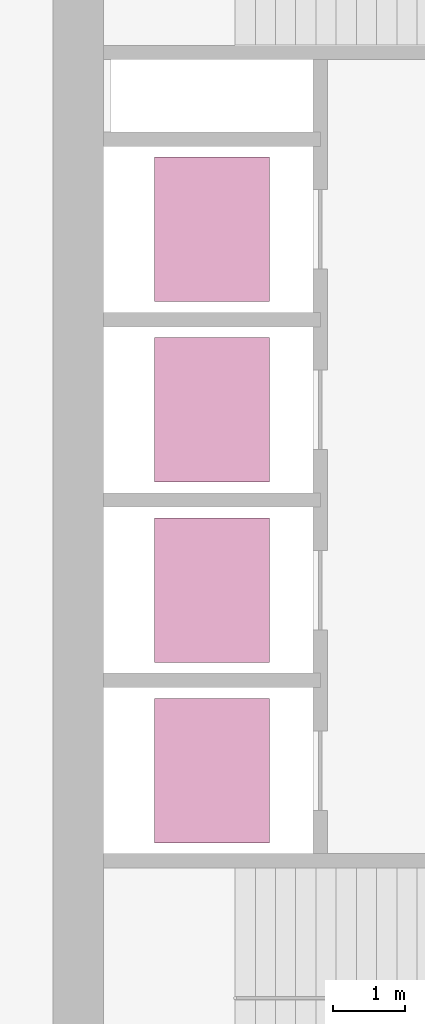
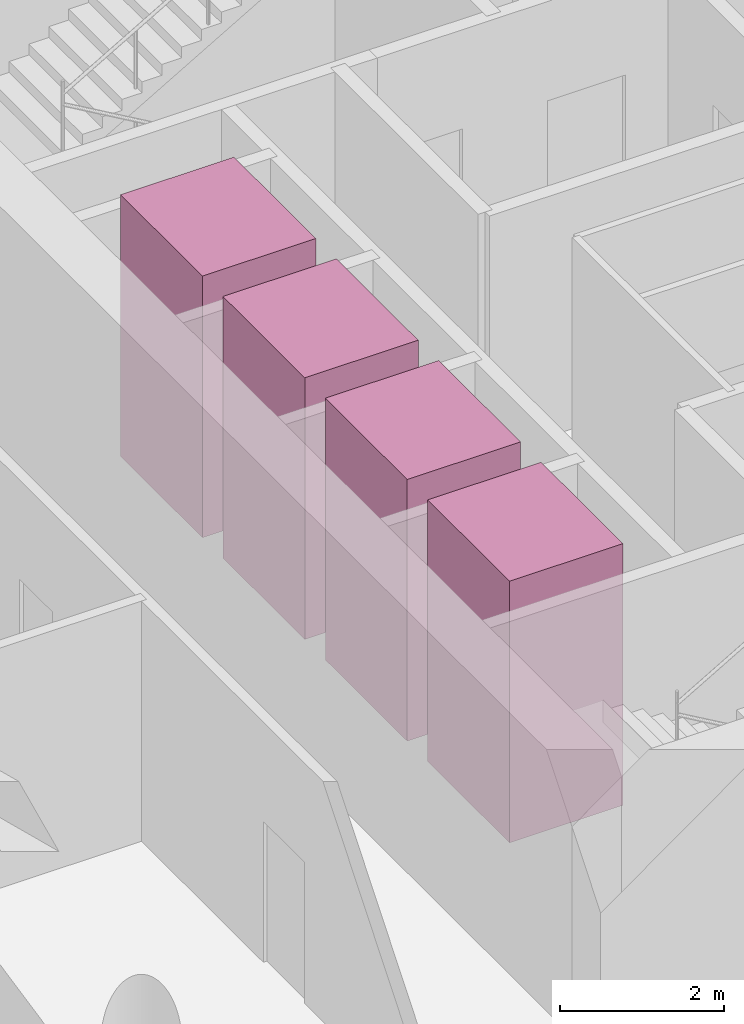
# One storey, part 9 of 9: 4 transport elements.
"""IFC4 building model written with IfcOpenShell, lengths in metres."""

from ifc_helpers import new_model, si_unit, direction, frame, origin, origin_2d, place, context, subcontext, project, spatial, rectangle, extrude, material, type_object, element, save


model = new_model("IFC4")

# Units and contexts
model_context = context("Model", 3, precision=1e-05, world=origin(), true_north=direction((0.0, 1.0)))
body_context = subcontext(model_context, "Body", "Model", "MODEL_VIEW")
ifc_project = project(units=[si_unit("LENGTHUNIT", "METRE"), si_unit("AREAUNIT", "SQUARE_METRE"), si_unit("VOLUMEUNIT", "CUBIC_METRE"), si_unit("PLANEANGLEUNIT", "RADIAN"), si_unit("MASSUNIT", "GRAM", prefix="KILO")], contexts=[model_context])

# Site, building, storey
site_placement = place(None, origin())
site = spatial("IfcSite", under=ifc_project, at=site_placement, CompositionType="ELEMENT")
building_placement = place(site_placement, origin())
building = spatial("IfcBuilding", under=site, at=building_placement, Name="Qaws Garden Tower", CompositionType="ELEMENT")
storey_placement = place(building_placement, frame((0.0, 0.0, 213.60009765625)))
storey = spatial("IfcBuildingStorey", under=building, at=storey_placement, Name="L52", CompositionType="ELEMENT", Elevation=213.60009765625)

# Transport elements
ifc_material = material(Name="Stainless steel 316", Category="steel")
transport_element_type = type_object("IfcTransportElementType", Name="Passenger lift car 2000x1600 1800 kg", PredefinedType="ELEVATOR", material=ifc_material)
for number, where, z_axis, x_axis, name in (
    (1, (10.199951171875, 13.64990234375, 0.0), (0.0, 0.0, 1.0), (1.0, 0.0, 0.0), "MR1"),
    (2, (10.199951171875, 16.14990234375, 0.0), (0.0, 0.0, 1.0), (1.0, 0.0, 0.0), "MR2"),
    (3, (10.199951171875, 18.64990234375, 0.0), (0.0, 0.0, 1.0), (1.0, 0.0, 0.0), "MR3"),
    (4, (10.199951171875, 21.14990234375, 0.0), (0.0, 0.0, 1.0), (1.0, 0.0, 0.0), "MR4"),
):
    element("IfcTransportElement", number, at=place(storey_placement, frame(where, z_axis=z_axis, x_axis=x_axis)), inside=storey, type_object=transport_element_type, Name=name, PredefinedType="ELEVATOR", context=body_context, shape_type="SweptSolid", body=[
        extrude(rectangle(XDim=1.60009765625, YDim=2.0, at=origin_2d()), origin(), (0.0, 0.0, 1.0), 3.89990234375),
    ])

save(model, "model.ifc")
